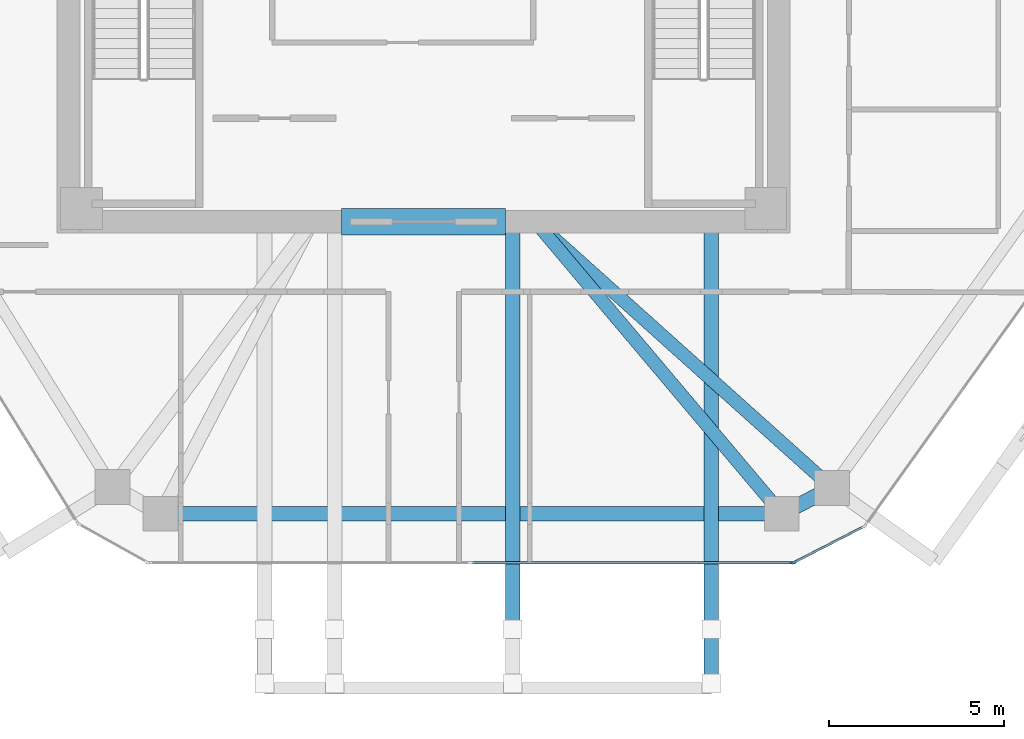
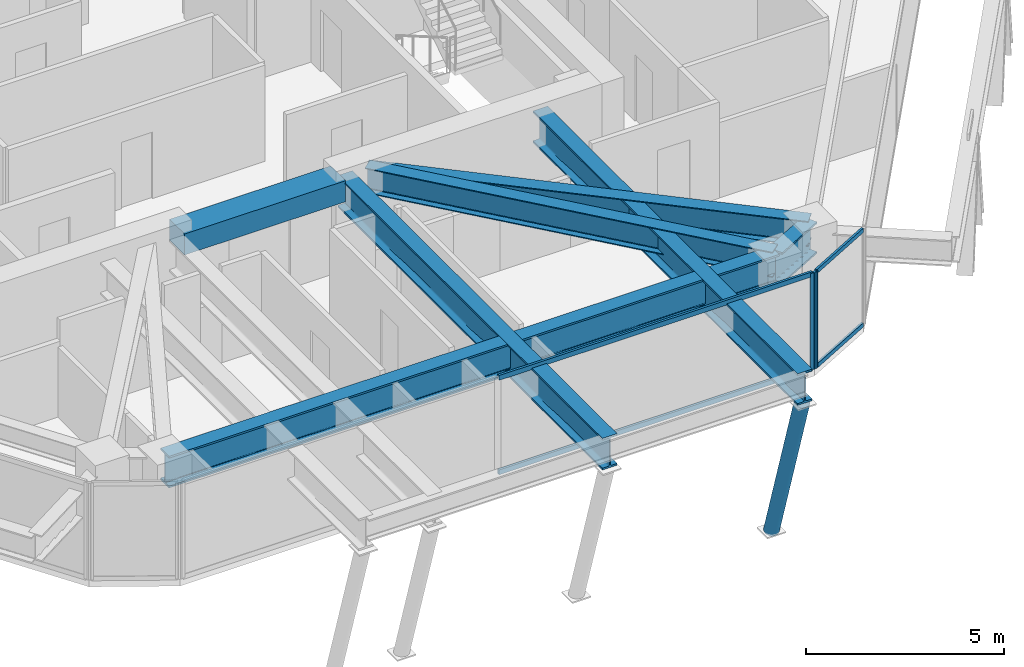
# One storey, part 3 of 14: 7 beams, 7 members, 2 elements without a shape of their own.
"""IFC4 building model written with IfcOpenShell, lengths in metres."""

from ifc_helpers import new_model, si_unit, direction, frame, origin, origin_2d, place, context, subcontext, project, spatial, rectangle, hollow_circle, i_section, extrude, source, transform, mapped, material, layer, layer_set, material_profile, profile_set, type_object, type_shapes, element, aggregate, save


model = new_model("IFC4")

# Units and contexts
model_context = context("Model", 3, precision=1e-05, world=origin(), true_north=direction((0.0, 1.0)))
body_context = subcontext(model_context, "Body", "Model", "MODEL_VIEW")
ifc_project = project(units=[si_unit("LENGTHUNIT", "METRE"), si_unit("AREAUNIT", "SQUARE_METRE"), si_unit("VOLUMEUNIT", "CUBIC_METRE"), si_unit("PLANEANGLEUNIT", "RADIAN"), si_unit("MASSUNIT", "GRAM", prefix="KILO")], contexts=[model_context])

# Site, building, storey
site_placement = place(None, origin())
site = spatial("IfcSite", under=ifc_project, at=site_placement, CompositionType="ELEMENT")
building_placement = place(site_placement, origin())
building = spatial("IfcBuilding", under=site, at=building_placement, Name="Durnholm Broadcast Tower", CompositionType="ELEMENT")
storey_placement = place(building_placement, frame((0.0, 0.0, 159.300048828125)))
storey = spatial("IfcBuildingStorey", under=building, at=storey_placement, Name="L43", CompositionType="ELEMENT", Elevation=159.300048828125)

# Beams
ifc_material_1 = material(Name="Concrete C70/85", Category="concrete")
ifc_material_profile_1 = material_profile(ifc_material_1, rectangle(XDim=0.75, YDim=0.64990234375, at=origin_2d()), Name="RC750X650")
ifc_profile_set_1 = profile_set([ifc_material_profile_1], Name="Concrete C70/85")
beam_type_1 = type_object("IfcBeamType", Name="BM-CB-RC650", PredefinedType="LINTEL", material=ifc_profile_set_1)
shared_shape_1 = source(origin(), body_context, "Body", "SweptSolid", [
    extrude(rectangle(XDim=0.75, YDim=0.64990234375, at=origin_2d()), origin(), (0.0, 0.0, 1.0), 4.7001953125),
])
type_shapes(beam_type_1, [shared_shape_1])
beam_1_placement = place(storey_placement, frame((-2.35009765625, -8.175048828125, 2.64990234375), z_axis=(1.0, 0.0, 0.0), x_axis=(0.0, 1.0, 0.0)))
element("IfcBeam", 1, at=beam_1_placement, inside=storey, type_object=beam_type_1, Name="L43 south core coupling lintel beam CB-S", PredefinedType="LINTEL", context=body_context, shape_type="MappedRepresentation", body=[
    mapped(shared_shape_1, transform((0.0, 0.0, 0.0), x_axis=(1.0, 0.0, 0.0), y_axis=(0.0, 1.0, 0.0), z_axis=(0.0, 0.0, 1.0), scale=1.0)),
])
ifc_material_2 = material(Name="Steel ASTM A992 Grade 50", Category="steel")
ifc_material_profile_2 = material_profile(ifc_material_2, i_section(OverallWidth=0.380615234375, OverallDepth=0.773193359375, WebThickness=0.0166015625, FlangeThickness=0.027099609375, FilletRadius=0.032958984375, at=origin_2d()), Name="W30X173")
ifc_profile_set_2 = profile_set([ifc_material_profile_2], Name="Steel ASTM A992 Grade 50")
beam_type_2 = type_object("IfcBeamType", Name="STL-GR-W30X173", PredefinedType="USERDEFINED", material=ifc_profile_set_2)
shared_shape_2 = source(origin(), body_context, "Body", "SweptSolid", [
    extrude(i_section(OverallWidth=0.380615234375, OverallDepth=0.773193359375, WebThickness=0.0166015625, FlangeThickness=0.027099609375, FilletRadius=0.032958984375, at=origin_2d()), origin(), (0.0, 0.0, 1.0), 11.4189453125),
])
beam_2_placement = place(storey_placement, frame((3.199951171875, -8.175048828125, 2.578369140625), z_axis=(0.744361631918, -0.667776729849, 0.0), x_axis=(0.667776729849, 0.744361631918, 0.0)))
element("IfcBeam", 2, at=beam_2_placement, inside=storey, type_object=beam_type_2, Name="L43 radial primary floor girder 10", ObjectType="GIRDER", PredefinedType="USERDEFINED", context=body_context, shape_type="MappedRepresentation", body=[
    mapped(shared_shape_2, transform((0.0, 0.0, 0.0), x_axis=(1.0, 0.0, 0.0), y_axis=(0.0, 1.0, 0.0), z_axis=(0.0, 0.0, 1.0), scale=1.0)),
])
shared_shape_3 = source(origin(), body_context, "Body", "SweptSolid", [
    extrude(i_section(OverallWidth=0.380615234375, OverallDepth=0.773193359375, WebThickness=0.0166015625, FlangeThickness=0.027099609375, FilletRadius=0.032958984375, at=origin_2d()), origin(), (0.0, 0.0, 1.0), 10.9453125),
])
type_shapes(beam_type_2, [shared_shape_2, shared_shape_3])
beam_3_placement = place(storey_placement, frame((3.199951171875, -8.175048828125, 2.578369140625), z_axis=(0.644712536066, -0.764425108065, 0.0), x_axis=(0.764425108065, 0.644712536066, 0.0)))
element("IfcBeam", 3, at=beam_3_placement, inside=storey, type_object=beam_type_2, Name="L43 radial primary floor girder 11", ObjectType="GIRDER", PredefinedType="USERDEFINED", context=body_context, shape_type="MappedRepresentation", body=[
    mapped(shared_shape_3, transform((0.0, 0.0, 0.0), x_axis=(1.0, 0.0, 0.0), y_axis=(0.0, 1.0, 0.0), z_axis=(0.0, 0.0, 1.0), scale=1.0)),
])
ifc_material_profile_3 = material_profile(ifc_material_2, i_section(OverallWidth=0.427490234375, OverallDepth=0.9755859375, WebThickness=0.031005859375, FlangeThickness=0.055908203125, FilletRadius=0.0380859375, at=origin_2d()), Name="W36X395")
ifc_profile_set_3 = profile_set([ifc_material_profile_3], Name="Steel ASTM A992 Grade 50")
beam_type_3 = type_object("IfcBeamType", Name="STL-GR-W36X395", PredefinedType="USERDEFINED", material=ifc_profile_set_3)
shared_shape_4 = source(origin(), body_context, "Body", "SweptSolid", [
    extrude(i_section(OverallWidth=0.427490234375, OverallDepth=0.9755859375, WebThickness=0.031005859375, FlangeThickness=0.055908203125, FilletRadius=0.0380859375, at=origin_2d()), origin(), (0.0, 0.0, 1.0), 1.62255859375),
])
beam_4_placement = place(storey_placement, frame((11.69970703125, -15.80029296875, 2.422119140625), z_axis=(-0.889406668864, -0.45711680934, 0.0), x_axis=(0.45711680934, -0.889406668864, 0.0)))
element("IfcBeam", 4, at=beam_4_placement, inside=storey, type_object=beam_type_3, Name="L43 sky-pool south fulcrum spandrel girder 10", PredefinedType="SPANDREL", context=body_context, shape_type="MappedRepresentation", body=[
    mapped(shared_shape_4, transform((0.0, 0.0, 0.0), x_axis=(1.0, 0.0, 0.0), y_axis=(0.0, 1.0, 0.0), z_axis=(0.0, 0.0, 1.0), scale=1.0)),
])
shared_shape_5 = source(origin(), body_context, "Body", "SweptSolid", [
    extrude(i_section(OverallWidth=0.427490234375, OverallDepth=0.9755859375, WebThickness=0.031005859375, FlangeThickness=0.055908203125, FilletRadius=0.0380859375, at=origin_2d()), origin(), (0.0, 0.0, 1.0), 17.796142578125),
])
type_shapes(beam_type_3, [shared_shape_4, shared_shape_5])
beam_5_placement = place(storey_placement, frame((10.256591796875, -16.5419921875, 2.422119140625), z_axis=(-1.0, 0.0, 0.0), x_axis=(0.0, -1.0, 0.0)))
element("IfcBeam", 5, at=beam_5_placement, inside=storey, type_object=beam_type_3, Name="L43 sky-pool south fulcrum spandrel girder 11", PredefinedType="SPANDREL", context=body_context, shape_type="MappedRepresentation", body=[
    mapped(shared_shape_5, transform((0.0, 0.0, 0.0), x_axis=(1.0, 0.0, 0.0), y_axis=(0.0, 1.0, 0.0), z_axis=(0.0, 0.0, 1.0), scale=1.0)),
])
ifc_material_profile_4 = material_profile(ifc_material_2, i_section(OverallWidth=0.427490234375, OverallDepth=0.9755859375, WebThickness=0.031005859375, FlangeThickness=0.055908203125, FilletRadius=0.0380859375, at=origin_2d()), Name="W36X395")
ifc_profile_set_4 = profile_set([ifc_material_profile_4], Name="Steel ASTM A992 Grade 50")
beam_type_4 = type_object("IfcBeamType", Name="BM-POOL-CANT", PredefinedType="USERDEFINED", material=ifc_profile_set_4)
shared_shape_6 = source(origin(), body_context, "Body", "SweptSolid", [
    extrude(i_section(OverallWidth=0.427490234375, OverallDepth=0.9755859375, WebThickness=0.031005859375, FlangeThickness=0.055908203125, FilletRadius=0.0380859375, at=origin_2d()), origin(), (0.0, 0.0, 1.0), 13.366943359375),
])
type_shapes(beam_type_4, [shared_shape_6])
for number, where, z_axis, x_axis, name in (
    (6, (2.550048828125, -8.175048828125, 2.422119140625), (0.0, -1.0, 0.0), (1.0, 0.0, 0.0), "L44 continuous back-spanned sky-pool cantilever girder 3"),
    (7, (8.239013671875, -8.175048828125, 2.422119140625), (0.0, -1.0, 0.0), (1.0, 0.0, 0.0), "L44 continuous back-spanned sky-pool cantilever girder 4"),
):
    element("IfcBeam", number, at=place(storey_placement, frame(where, z_axis=z_axis, x_axis=x_axis)), inside=storey, type_object=beam_type_4, Name=name, ObjectType="GIRDER", PredefinedType="USERDEFINED", context=body_context, shape_type="MappedRepresentation", body=[
        mapped(shared_shape_6, transform((0.0, 0.0, 0.0), x_axis=(1.0, 0.0, 0.0), y_axis=(0.0, 1.0, 0.0), z_axis=(0.0, 0.0, 1.0), scale=1.0)),
    ])

# Member
ifc_material_3 = material(Name="Steel ASTM A500 Grade C", Category="steel")
ifc_material_profile_5 = material_profile(ifc_material_3, hollow_circle(Radius=0.203125, WallThickness=0.01171875, at=origin_2d()), Name="HSS16.000X0.500")
ifc_profile_set_5 = profile_set([ifc_material_profile_5], Name="Steel ASTM A500 Grade C")
member_type_1 = type_object("IfcMemberType", Name="STL-OS-CHS16", PredefinedType="STRUT", material=ifc_profile_set_5)
shared_shape_7 = source(origin(), body_context, "Body", "SweptSolid", [
    extrude(hollow_circle(Radius=0.203125, WallThickness=0.01171875, at=origin_2d()), origin(), (0.0, 0.0, 1.0), 5.126220703125),
])
type_shapes(member_type_1, [shared_shape_7])
member_1_placement = place(storey_placement, frame((8.239013671875, -19.85205078125, -3.007080078125), z_axis=(0.0, -0.302377905819, 0.953188125226), x_axis=(1.0, 0.0, 0.0)))
element("IfcMember", 8, at=member_1_placement, inside=storey, type_object=member_type_1, Name="L43 sky-pool compression support member 4", PredefinedType="STRUT", context=body_context, shape_type="MappedRepresentation", body=[
    mapped(shared_shape_7, transform((0.0, 0.0, 0.0), x_axis=(1.0, 0.0, 0.0), y_axis=(0.0, 1.0, 0.0), z_axis=(0.0, 0.0, 1.0), scale=1.0)),
])

# Curtain wall, members
ifc_material_4 = material(Name="Aluminium and Solar Control IGU", Category="aluminium")
ifc_layer_1 = layer(ifc_material_4, 0.1650390625)
ifc_layer_set_1 = layer_set([ifc_layer_1], Name="Aluminium and Solar Control IGU")
curtain_wall_type_1 = type_object("IfcCurtainWallType", Name="CW-SYS-5", PredefinedType="NOTDEFINED", material=ifc_layer_set_1)
curtain_wall_1_placement = place(storey_placement, origin())
curtain_wall_1 = element("IfcCurtainWall", 9, at=curtain_wall_1_placement, inside=storey, type_object=curtain_wall_type_1, Name="L43 curtain wall CW-CORNER CW-L43-CRN-09", PredefinedType="NOTDEFINED")
ifc_material_5 = material(Name="Aluminium 6063-T6", Category="aluminium")
ifc_material_profile_6 = material_profile(ifc_material_5, rectangle(XDim=0.06494140625, YDim=0.1298828125, at=origin_2d()), Name="CWT65X130")
ifc_profile_set_6 = profile_set([ifc_material_profile_6], Name="Aluminium 6063-T6")
member_type_2 = type_object("IfcMemberType", Name="CW-SYS-5-TRN", PredefinedType="USERDEFINED", material=ifc_profile_set_6)
shared_shape_8 = source(origin(), body_context, "Body", "SweptSolid", [
    extrude(rectangle(XDim=0.06494140625, YDim=0.1298828125, at=origin_2d()), origin(), (0.0, 0.0, 1.0), 2.170166015625),
])
type_shapes(member_type_2, [shared_shape_8])
member_2_placement = place(storey_placement, frame((12.583251953125, -16.92041015625, 0.032470703125), z_axis=(-0.889422414772, -0.457086171417, 0.0), x_axis=(0.457086171417, -0.889422414772, 0.0)))
member_2 = element("IfcMember", 10, at=member_2_placement, type_object=member_type_2, Name="CW-CORNER transom 1.1", ObjectType="TRANSOM", PredefinedType="USERDEFINED", context=body_context, shape_type="MappedRepresentation", body=[
    mapped(shared_shape_8, transform((0.0, 0.0, 0.0), x_axis=(1.0, 0.0, 0.0), y_axis=(0.0, 1.0, 0.0), z_axis=(0.0, 0.0, 1.0), scale=1.0)),
])
member_3_placement = place(storey_placement, frame((12.583251953125, -16.92041015625, 2.947509765625), z_axis=(-0.889422414772, -0.457086171417, 0.0), x_axis=(0.457086171417, -0.889422414772, 0.0)))
member_3 = element("IfcMember", 11, at=member_3_placement, type_object=member_type_2, Name="CW-CORNER transom 1.2", ObjectType="TRANSOM", PredefinedType="USERDEFINED", context=body_context, shape_type="MappedRepresentation", body=[
    mapped(shared_shape_8, transform((0.0, 0.0, 0.0), x_axis=(1.0, 0.0, 0.0), y_axis=(0.0, 1.0, 0.0), z_axis=(0.0, 0.0, 1.0), scale=1.0)),
])
ifc_material_profile_7 = material_profile(ifc_material_5, rectangle(XDim=0.06494140625, YDim=0.1650390625, at=origin_2d()), Name="CWM65X165")
ifc_profile_set_7 = profile_set([ifc_material_profile_7], Name="Aluminium 6063-T6")
member_type_3 = type_object("IfcMemberType", Name="CW-SYS-5-MUL", PredefinedType="MULLION", material=ifc_profile_set_7)
shared_shape_9 = source(origin(), body_context, "Body", "SweptSolid", [
    extrude(rectangle(XDim=0.06494140625, YDim=0.1650390625, at=origin_2d()), origin(), (0.0, 0.0, 1.0), 2.97998046875),
])
type_shapes(member_type_3, [shared_shape_9])
member_4_placement = place(storey_placement, frame((10.624267578125, -17.92724609375, 0.0), z_axis=(0.0, 0.0, 1.0), x_axis=(0.457081764476, -0.889424679545, 0.0)))
member_4 = element("IfcMember", 12, at=member_4_placement, type_object=member_type_3, Name="CW-CORNER mullion 2", PredefinedType="MULLION", context=body_context, shape_type="MappedRepresentation", body=[
    mapped(shared_shape_9, transform((0.0, 0.0, 0.0), x_axis=(1.0, 0.0, 0.0), y_axis=(0.0, 1.0, 0.0), z_axis=(0.0, 0.0, 1.0), scale=1.0)),
])
aggregate(curtain_wall_1, [member_4, member_2, member_3])

ifc_layer_2 = layer(ifc_material_4, 0.18994140625)
ifc_layer_set_2 = layer_set([ifc_layer_2], Name="Aluminium and Solar Control IGU")
curtain_wall_type_2 = type_object("IfcCurtainWallType", Name="CW-SYS-4", PredefinedType="NOTDEFINED", material=ifc_layer_set_2)
curtain_wall_2_placement = place(storey_placement, origin())
curtain_wall_2 = element("IfcCurtainWall", 13, at=curtain_wall_2_placement, inside=storey, type_object=curtain_wall_type_2, Name="L43 curtain wall CW-Z34-VIS CW-L43-F10", PredefinedType="NOTDEFINED")
ifc_material_profile_8 = material_profile(ifc_material_5, rectangle(XDim=0.070068359375, YDim=0.18994140625, at=origin_2d()), Name="CWM70X190")
ifc_profile_set_8 = profile_set([ifc_material_profile_8], Name="Aluminium 6063-T6")
member_type_4 = type_object("IfcMemberType", Name="CW-SYS-4-MUL", PredefinedType="MULLION", material=ifc_profile_set_8)
shared_shape_10 = source(origin(), body_context, "Body", "SweptSolid", [
    extrude(rectangle(XDim=0.070068359375, YDim=0.18994140625, at=origin_2d()), origin(), (0.0, 0.0, 1.0), 2.97998046875),
])
type_shapes(member_type_4, [shared_shape_10])
member_5_placement = place(storey_placement, frame((10.560302734375, -17.94189453125, 0.0), z_axis=(0.0, 0.0, 1.0), x_axis=(0.0, -1.0, 0.0)))
member_5 = element("IfcMember", 14, at=member_5_placement, type_object=member_type_4, Name="CW-Z34-VIS mullion 1", PredefinedType="MULLION", context=body_context, shape_type="MappedRepresentation", body=[
    mapped(shared_shape_10, transform((0.0, 0.0, 0.0), x_axis=(1.0, 0.0, 0.0), y_axis=(0.0, 1.0, 0.0), z_axis=(0.0, 0.0, 1.0), scale=1.0)),
])
ifc_material_profile_9 = material_profile(ifc_material_5, rectangle(XDim=0.070068359375, YDim=0.14990234375, at=origin_2d()), Name="CWT70X150")
ifc_profile_set_9 = profile_set([ifc_material_profile_9], Name="Aluminium 6063-T6")
member_type_5 = type_object("IfcMemberType", Name="CW-SYS-4-TRN", PredefinedType="USERDEFINED", material=ifc_profile_set_9)
shared_shape_11 = source(origin(), body_context, "Body", "SweptSolid", [
    extrude(rectangle(XDim=0.070068359375, YDim=0.14990234375, at=origin_2d()), origin(), (0.0, 0.0, 1.0), 9.14453125),
])
type_shapes(member_type_5, [shared_shape_11])
member_6_placement = place(storey_placement, frame((10.525390625, -17.94189453125, 0.034912109375), z_axis=(-1.0, 0.0, 0.0), x_axis=(0.0, -1.0, 0.0)))
member_6 = element("IfcMember", 15, at=member_6_placement, type_object=member_type_5, Name="CW-Z34-VIS transom 1.1", ObjectType="TRANSOM", PredefinedType="USERDEFINED", context=body_context, shape_type="MappedRepresentation", body=[
    mapped(shared_shape_11, transform((0.0, 0.0, 0.0), x_axis=(1.0, 0.0, 0.0), y_axis=(0.0, 1.0, 0.0), z_axis=(0.0, 0.0, 1.0), scale=1.0)),
])
member_7_placement = place(storey_placement, frame((10.525390625, -17.94189453125, 2.945068359375), z_axis=(-1.0, 0.0, 0.0), x_axis=(0.0, -1.0, 0.0)))
member_7 = element("IfcMember", 16, at=member_7_placement, type_object=member_type_5, Name="CW-Z34-VIS transom 1.2", ObjectType="TRANSOM", PredefinedType="USERDEFINED", context=body_context, shape_type="MappedRepresentation", body=[
    mapped(shared_shape_11, transform((0.0, 0.0, 0.0), x_axis=(1.0, 0.0, 0.0), y_axis=(0.0, 1.0, 0.0), z_axis=(0.0, 0.0, 1.0), scale=1.0)),
])
aggregate(curtain_wall_2, [member_5, member_6, member_7])

save(model, "model.ifc")
